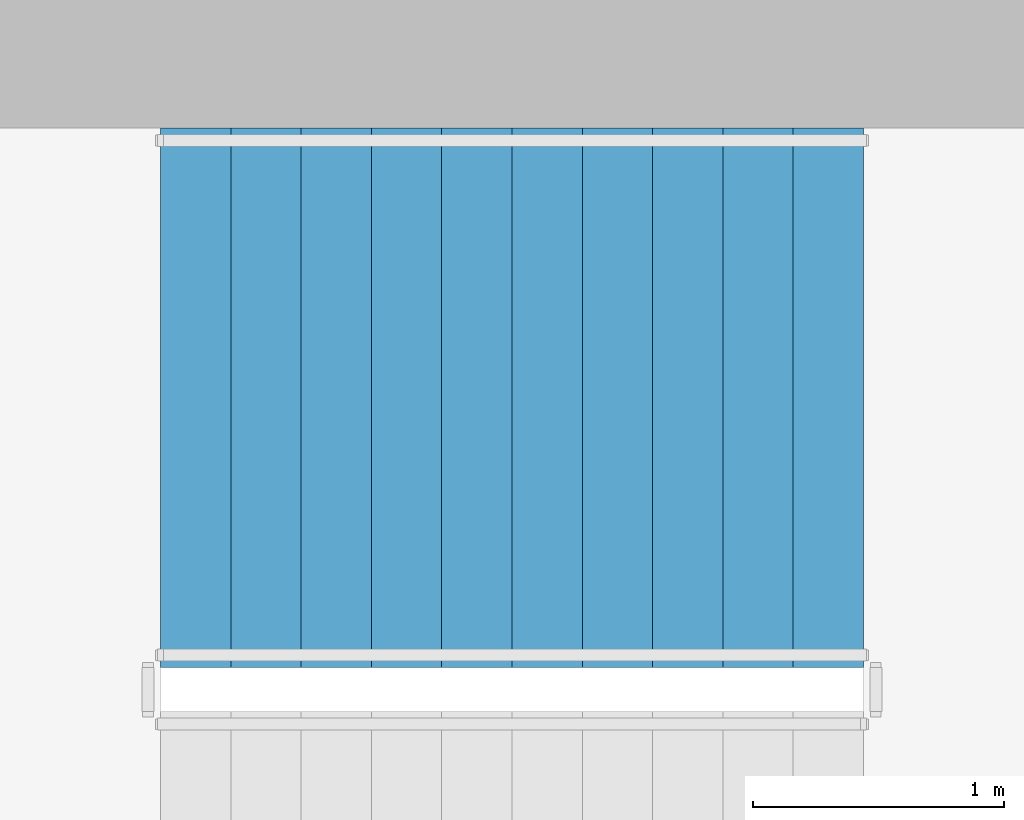
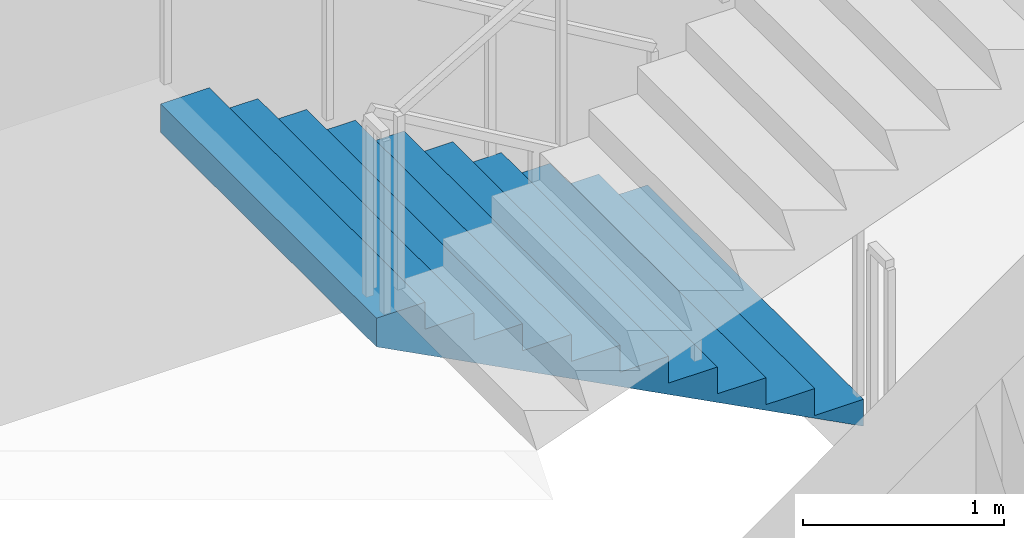
# One storey, part 11 of 19: 1 stair flight, 1 element without a shape of its own.
"""IFC4 building model written with IfcOpenShell, lengths in metres."""

import ifcopenshell
import ifcopenshell.guid

model = None  # the IFC model being written
_history = None  # IfcOwnerHistory: only IFC2X3 demands one
_inside = {}  # id of a spatial element -> (the spatial element, [elements in it])
_under = {}  # id of a project, library or spatial element -> (it, [spatial elements below it])
_declared = {}  # id of a project -> (the project, [libraries it declares])
_typed = {}  # id of a type object -> (the type object, [elements of that type])
_made_of = {}  # id of a material, layer set ... -> (it, [elements and type objects made of it])


def new_model(schema):
    """Start an empty IFC model of exactly this schema.

    Asked for "IFC4X3", IfcOpenShell would pick the latest addendum, in which some entities
    have other attributes; the version numbers below select the first issue.
    IFC2X3 requires an IfcOwnerHistory on every rooted entity: one is made here for all.
    """
    global model, _history
    if schema == "IFC4X3":
        model = ifcopenshell.file(schema_version=(4, 3, 0, 0))
    else:
        model = ifcopenshell.file(schema=schema)
    _inside.clear()
    _under.clear()
    _declared.clear()
    _typed.clear()
    _made_of.clear()
    _history = None
    if model.schema == "IFC2X3":
        org = make("IfcOrganization", Name="unknown")
        user = make(
            "IfcPersonAndOrganization",
            ThePerson=make("IfcPerson", FamilyName="unknown"),
            TheOrganization=org,
        )
        app = make(
            "IfcApplication",
            ApplicationDeveloper=org,
            Version="unknown",
            ApplicationFullName="unknown",
            ApplicationIdentifier="unknown",
        )
        _history = make(
            "IfcOwnerHistory",
            OwningUser=user,
            OwningApplication=app,
            ChangeAction="ADDED",
            CreationDate=0,
        )
    return model


def make(cls, **values):
    """One entity of the class cls with the attributes given. An attribute that is None is left unset."""
    return model.create_entity(
        cls, **{name: value for name, value in values.items() if value is not None}
    )


def rooted(cls, **values):
    """An entity with a GlobalId (a new one), such as an element, a storey or a relation."""
    return make(cls, GlobalId=ifcopenshell.guid.new(), OwnerHistory=_history, **values)


def si_unit(unit_type, name, prefix=None):
    """IfcSIUnit, for example si_unit("LENGTHUNIT", "METRE", prefix="MILLI")."""
    return make("IfcSIUnit", UnitType=unit_type, Prefix=prefix, Name=name)


def assignment(units):
    """IfcUnitAssignment: the units of a project."""
    return None if units is None else make("IfcUnitAssignment", Units=units)


def point(xyz):
    """IfcCartesianPoint."""
    return None if xyz is None else make("IfcCartesianPoint", Coordinates=xyz)


def direction(xyz):
    """IfcDirection."""
    return None if xyz is None else make("IfcDirection", DirectionRatios=xyz)


def frame(location, z_axis=None, x_axis=None):
    """IfcAxis2Placement3D, a coordinate frame: its origin and axes. An axis left out is left unset."""
    return make(
        "IfcAxis2Placement3D",
        Location=point(location),
        Axis=direction(z_axis),
        RefDirection=direction(x_axis),
    )


def origin():
    """The frame at (0, 0, 0) with its axes left unset."""
    return frame((0.0, 0.0, 0.0))


def place(relative_to, where):
    """IfcLocalPlacement: puts the frame where relative to a parent placement (None: the world)."""
    return make(
        "IfcLocalPlacement", PlacementRelTo=relative_to, RelativePlacement=where
    )


def context(
    kind, dimensions, precision=None, world=None, true_north=None, identifier=None
):
    """IfcGeometricRepresentationContext, for example the 3D "Model" context."""
    return make(
        "IfcGeometricRepresentationContext",
        ContextIdentifier=identifier,
        ContextType=kind,
        CoordinateSpaceDimension=dimensions,
        Precision=precision,
        WorldCoordinateSystem=world,
        TrueNorth=true_north,
    )


def subcontext(parent, identifier, kind, view, scale=None):
    """IfcGeometricRepresentationSubContext, for example "Body" below "Model"."""
    return make(
        "IfcGeometricRepresentationSubContext",
        ContextIdentifier=identifier,
        ContextType=kind,
        ParentContext=parent,
        TargetScale=scale,
        TargetView=view,
    )


def project(units=None, contexts=None):
    """IfcProject with its units and contexts."""
    return rooted(
        "IfcProject",
        Name="project",
        RepresentationContexts=contexts,
        UnitsInContext=assignment(units),
    )


def spatial(cls, under=None, at=None, **own):
    """A site, building, storey or space (cls), placed at a placement, below another one or the project."""
    s = rooted(cls, ObjectPlacement=at, **own)
    if under is not None:
        _under.setdefault(under.id(), (under, []))[1].append(s)
    return s


def point_list(points):
    """IfcCartesianPointList2D or 3D."""
    cls = (
        "IfcCartesianPointList2D" if len(points[0]) == 2 else "IfcCartesianPointList3D"
    )
    return make(cls, CoordList=points)


def triangles(points, corners, closed=None, point_numbers=None):
    """IfcTriangulatedFaceSet: each triangle names its three corners, points numbered from 1."""
    return make(
        "IfcTriangulatedFaceSet",
        Coordinates=point_list(points),
        Closed=closed,
        CoordIndex=corners,
        PnIndex=point_numbers,
    )


def shape(context_of_items, identifier, shape_type, items):
    """IfcShapeRepresentation: the items that make up one representation, for example the "Body"."""
    return make(
        "IfcShapeRepresentation",
        ContextOfItems=context_of_items,
        RepresentationIdentifier=identifier,
        RepresentationType=shape_type,
        Items=items,
    )


def material(Name=None, Category=None):
    """IfcMaterial."""
    return make("IfcMaterial", Name=Name, Category=Category)


def made_of(thing, what):
    """Note that an element or type object is made of a material, layer set ...; save() writes the relation."""
    if what is not None:
        _made_of.setdefault(what.id(), (what, []))[1].append(thing)
    return thing


def type_object(cls, material=None, **own):
    """A type object (cls), such as IfcWallType, which elements share."""
    return made_of(rooted(cls, **own), material)


def element(
    cls,
    number,
    at=None,
    inside=None,
    cuts=None,
    type_object=None,
    material=None,
    context=None,
    identifier="Body",
    shape_type=None,
    held_by="IfcProductDefinitionShape",
    body=None,
    shapes=None,
    **own,
):
    """One element of the class cls, such as IfcWall. Its Tag is "e" and its number.

    at: its placement. inside: the storey or other place that contains it. cuts: it is an
    opening in that element (IfcRelVoidsElement). A single representation is given by context,
    identifier, shape_type and body (its items); several are given by shapes. held_by: the class
    of the entity that holds the representations. save() writes the other relations.
    """
    e = rooted(cls, Tag="e%d" % number, ObjectPlacement=at, **own)
    if body is not None:
        shapes = [shape(context, identifier, shape_type, body)]
    if shapes is not None:
        e.Representation = make(held_by, Representations=shapes)
    if inside is not None:
        _inside.setdefault(inside.id(), (inside, []))[1].append(e)
    if cuts is not None:
        rooted(
            "IfcRelVoidsElement", RelatingBuildingElement=cuts, RelatedOpeningElement=e
        )
    if type_object is not None:
        _typed.setdefault(type_object.id(), (type_object, []))[1].append(e)
    return made_of(e, material)


def aggregate(whole, parts):
    """IfcRelAggregates: a whole, such as a stair, and the parts it consists of."""
    return rooted("IfcRelAggregates", RelatingObject=whole, RelatedObjects=parts)


def save(model, path):
    """Write the relations noted so far, then the file.

    IfcRelAggregates (storeys below a building ...), IfcRelContainedInSpatialStructure (elements
    in a storey), IfcRelDefinesByType, IfcRelAssociatesMaterial and IfcRelDeclares: one each for
    every whole, place, type object, material and project.
    """
    for whole, parts in _under.values():
        aggregate(whole, parts)
    for where, things in _inside.values():
        rooted(
            "IfcRelContainedInSpatialStructure",
            RelatedElements=things,
            RelatingStructure=where,
        )
    for kind, things in _typed.values():
        rooted("IfcRelDefinesByType", RelatedObjects=things, RelatingType=kind)
    for what, things in _made_of.values():
        rooted("IfcRelAssociatesMaterial", RelatedObjects=things, RelatingMaterial=what)
    for by, libraries in _declared.values():
        rooted("IfcRelDeclares", RelatingContext=by, RelatedDefinitions=libraries)
    model.write(path)


model = new_model("IFC4")

# Units and contexts
model_context = context("Model", 3, precision=1e-05, world=origin(), true_north=direction((0.0, 1.0)))
body_context = subcontext(model_context, "Body", "Model", "MODEL_VIEW")
ifc_project = project(units=[si_unit("LENGTHUNIT", "METRE"), si_unit("AREAUNIT", "SQUARE_METRE"), si_unit("VOLUMEUNIT", "CUBIC_METRE"), si_unit("PLANEANGLEUNIT", "RADIAN"), si_unit("MASSUNIT", "GRAM", prefix="KILO")], contexts=[model_context])

# Site, building, storey
site_placement = place(None, origin())
site = spatial("IfcSite", under=ifc_project, at=site_placement, CompositionType="ELEMENT")
building_placement = place(site_placement, origin())
building = spatial("IfcBuilding", under=site, at=building_placement, Name="Cypress Arch Tower", CompositionType="ELEMENT")
storey_placement = place(building_placement, frame((0.0, 0.0, 66.300048828125)))
storey = spatial("IfcBuildingStorey", under=building, at=storey_placement, Name="L10", CompositionType="ELEMENT", Elevation=66.300048828125)

# Stair, stair flight
ifc_material_1 = material(Name="Concrete C40/50", Category="concrete")
stair_type = type_object("IfcStairType", Name="Exit stair ES1636-215", PredefinedType="HALF_TURN_STAIR", material=ifc_material_1)
stair_placement = place(storey_placement, origin())
stair = element("IfcStair", 1, at=stair_placement, inside=storey, type_object=stair_type, Name="L10 Exit stair B", PredefinedType="HALF_TURN_STAIR")
ifc_material_2 = material(Name="Concrete C40/50", Category="concrete")
stair_flight_type = type_object("IfcStairFlightType", Name="Exit stair flight ES1636-215", PredefinedType="STRAIGHT", material=ifc_material_2)
stair_flight_placement = place(storey_placement, frame((-22.27490234375, 13.72509765625, 0.0), z_axis=(0.0, 0.0, 1.0), x_axis=(-1.0, 0.0, 0.0)))
stair_flight = element("IfcStairFlight", 2, at=stair_flight_placement, type_object=stair_flight_type, Name="B flight 1", NumberOfRisers=11, NumberOfTreads=10, PredefinedType="STRAIGHT", RiserHeight=0.163636364, TreadLength=0.28, context=body_context, shape_type="Tessellation", body=[
    triangles([(0.0, -1.074951171875, 0.0), (0.000244140625, -1.074951171875, 0.03271484375), (0.00048828125, -1.074951171875, 0.0654296875), (0.00048828125, -1.074951171875, 0.09814453125), (0.000244140625, -1.074951171875, 0.130859375), (0.0, -1.074951171875, 0.16357421875), (0.280029296875, -1.074951171875, 0.16357421875), (0.280029296875, -1.074951171875, 0.327392578125), (0.56005859375, -1.074951171875, 0.327392578125), (0.56005859375, -1.074951171875, 0.490966796875), (0.840087890625, -1.074951171875, 0.490966796875), (0.840087890625, -1.074951171875, 0.654541015625), (1.1201171875, -1.074951171875, 0.654541015625), (1.1201171875, -1.074951171875, 0.818115234375), (1.39990234375, -1.074951171875, 0.818115234375), (1.39990234375, -1.074951171875, 0.98193359375), (1.679931640625, -1.074951171875, 0.98193359375), (1.679931640625, -1.074951171875, 1.1455078125), (1.9599609375, -1.074951171875, 1.1455078125), (1.9599609375, -1.074951171875, 1.30908203125), (2.239990234375, -1.074951171875, 1.30908203125), (2.239990234375, -1.074951171875, 1.47265625), (2.52001953125, -1.074951171875, 1.47265625), (2.52001953125, -1.074951171875, 1.636474609375), (2.800048828125, -1.074951171875, 1.636474609375), (2.7998046875, -1.074951171875, 1.601806640625), (2.799560546875, -1.074951171875, 1.56689453125), (2.799560546875, -1.074951171875, 1.5322265625), (2.7998046875, -1.074951171875, 1.497314453125), (2.800048828125, -1.074951171875, 1.462646484375), (2.800048828125, 1.074951171875, 1.462646484375), (2.7998046875, 1.074951171875, 1.497314453125), (2.799560546875, 1.074951171875, 1.5322265625), (2.799560546875, 1.074951171875, 1.56689453125), (2.7998046875, 1.074951171875, 1.601806640625), (2.800048828125, 1.074951171875, 1.636474609375), (2.52001953125, 1.074951171875, 1.636474609375), (2.52001953125, 1.074951171875, 1.47265625), (2.239990234375, 1.074951171875, 1.47265625), (2.239990234375, 1.074951171875, 1.30908203125), (1.9599609375, 1.074951171875, 1.30908203125), (1.9599609375, 1.074951171875, 1.1455078125), (1.679931640625, 1.074951171875, 1.1455078125), (1.679931640625, 1.074951171875, 0.98193359375), (1.39990234375, 1.074951171875, 0.98193359375), (1.39990234375, 1.074951171875, 0.818115234375), (1.1201171875, 1.074951171875, 0.818115234375), (1.1201171875, 1.074951171875, 0.654541015625), (0.840087890625, 1.074951171875, 0.654541015625), (0.840087890625, 1.074951171875, 0.490966796875), (0.56005859375, 1.074951171875, 0.490966796875), (0.56005859375, 1.074951171875, 0.327392578125), (0.280029296875, 1.074951171875, 0.327392578125), (0.280029296875, 1.074951171875, 0.16357421875), (0.0, 1.074951171875, 0.16357421875), (0.000244140625, 1.074951171875, 0.130859375), (0.00048828125, 1.074951171875, 0.09814453125), (0.00048828125, 1.074951171875, 0.0654296875), (0.000244140625, 1.074951171875, 0.03271484375), (0.0, 1.074951171875, 0.0), (2.7998046875, 0.0, 1.497314453125), (2.800048828125, 0.0, 1.462646484375), (2.799560546875, 0.0, 1.5322265625), (2.799560546875, 0.0, 1.56689453125), (2.7998046875, 0.0, 1.601806640625), (2.800048828125, 0.0, 1.636474609375), (2.52001953125, 0.0, 1.636474609375), (2.52001953125, 0.0, 1.47265625), (2.239990234375, 0.0, 1.47265625), (2.239990234375, 0.0, 1.30908203125), (1.9599609375, 0.0, 1.30908203125), (1.9599609375, 0.0, 1.1455078125), (1.679931640625, 0.0, 1.1455078125), (1.679931640625, 0.0, 0.98193359375), (1.39990234375, 0.0, 0.98193359375), (1.39990234375, 0.0, 0.818115234375), (1.1201171875, 0.0, 0.818115234375), (1.1201171875, 0.0, 0.654541015625), (0.840087890625, 0.0, 0.654541015625), (0.840087890625, 0.0, 0.490966796875), (0.56005859375, 0.0, 0.490966796875), (0.56005859375, 0.0, 0.327392578125), (0.280029296875, 0.0, 0.327392578125), (0.280029296875, 0.0, 0.16357421875), (0.0, 0.0, 0.16357421875), (0.000244140625, 0.0, 0.130859375), (0.00048828125, 0.0, 0.09814453125), (0.00048828125, 0.0, 0.0654296875), (0.000244140625, 0.0, 0.03271484375), (0.0, 0.0, 0.0)], [[30, 29, 24], [29, 28, 24], [28, 27, 24], [27, 26, 24], [26, 25, 24], [17, 16, 15], [9, 8, 7], [15, 14, 13], [23, 22, 21], [21, 20, 19], [19, 18, 17], [13, 12, 11], [11, 10, 9], [6, 5, 7], [5, 4, 7], [4, 3, 7], [3, 2, 7], [2, 1, 7], [30, 24, 23], [30, 23, 21], [30, 21, 19], [30, 19, 17], [30, 17, 15], [30, 15, 13], [30, 13, 11], [30, 11, 9], [30, 9, 7], [30, 7, 1], [31, 37, 32], [32, 37, 33], [33, 37, 34], [34, 37, 35], [35, 37, 36], [44, 46, 45], [52, 54, 53], [46, 48, 47], [38, 40, 39], [40, 42, 41], [42, 44, 43], [48, 50, 49], [50, 52, 51], [55, 54, 56], [56, 54, 57], [57, 54, 58], [58, 54, 59], [59, 54, 60], [31, 38, 37], [31, 40, 38], [31, 42, 40], [31, 44, 42], [31, 46, 44], [31, 48, 46], [31, 50, 48], [31, 52, 50], [31, 54, 52], [31, 60, 54], [62, 61, 29], [62, 29, 30], [31, 32, 61], [31, 61, 62], [61, 63, 28], [61, 28, 29], [32, 33, 63], [32, 63, 61], [63, 64, 27], [63, 27, 28], [33, 34, 64], [33, 64, 63], [64, 65, 26], [64, 26, 27], [34, 35, 65], [34, 65, 64], [65, 66, 25], [65, 25, 26], [35, 36, 66], [35, 66, 65], [66, 67, 24], [66, 24, 25], [36, 37, 67], [36, 67, 66], [67, 68, 23], [67, 23, 24], [37, 38, 68], [37, 68, 67], [68, 69, 22], [68, 22, 23], [38, 39, 69], [38, 69, 68], [69, 70, 21], [69, 21, 22], [39, 40, 70], [39, 70, 69], [70, 71, 20], [70, 20, 21], [40, 41, 71], [40, 71, 70], [71, 72, 19], [71, 19, 20], [41, 42, 72], [41, 72, 71], [72, 73, 18], [72, 18, 19], [42, 43, 73], [42, 73, 72], [73, 74, 17], [73, 17, 18], [43, 44, 74], [43, 74, 73], [74, 75, 16], [74, 16, 17], [44, 45, 75], [44, 75, 74], [75, 76, 15], [75, 15, 16], [45, 46, 76], [45, 76, 75], [76, 77, 14], [76, 14, 15], [46, 47, 77], [46, 77, 76], [77, 78, 13], [77, 13, 14], [47, 48, 78], [47, 78, 77], [78, 79, 12], [78, 12, 13], [48, 49, 79], [48, 79, 78], [79, 80, 11], [79, 11, 12], [49, 50, 80], [49, 80, 79], [80, 81, 10], [80, 10, 11], [50, 51, 81], [50, 81, 80], [81, 82, 9], [81, 9, 10], [51, 52, 82], [51, 82, 81], [82, 83, 8], [82, 8, 9], [52, 53, 83], [52, 83, 82], [83, 84, 7], [83, 7, 8], [53, 54, 84], [53, 84, 83], [84, 85, 6], [84, 6, 7], [54, 55, 85], [54, 85, 84], [85, 86, 5], [85, 5, 6], [55, 56, 86], [55, 86, 85], [86, 87, 4], [86, 4, 5], [56, 57, 87], [56, 87, 86], [87, 88, 3], [87, 3, 4], [57, 58, 88], [57, 88, 87], [88, 89, 2], [88, 2, 3], [58, 59, 89], [58, 89, 88], [89, 90, 1], [89, 1, 2], [59, 60, 90], [59, 90, 89], [90, 62, 30], [90, 30, 1], [60, 31, 62], [60, 62, 90]], closed=True),
])
aggregate(stair, [stair_flight])

save(model, "model.ifc")
